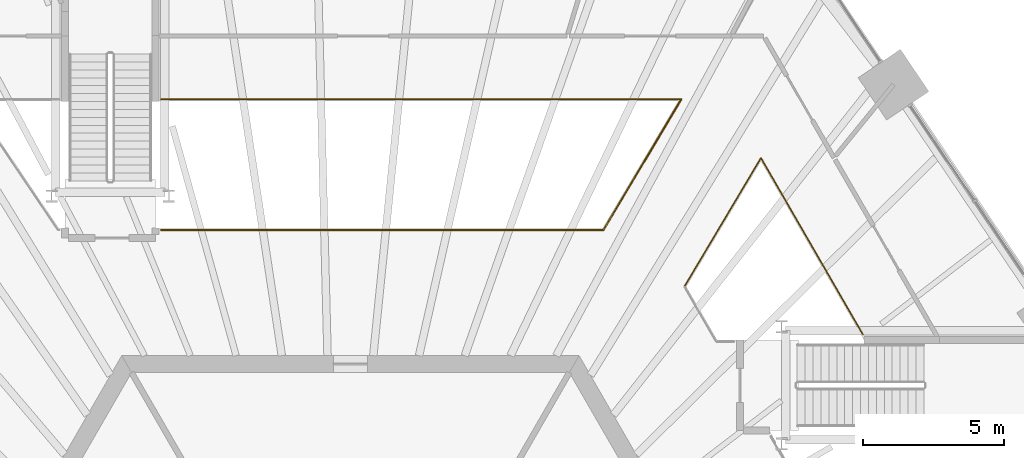
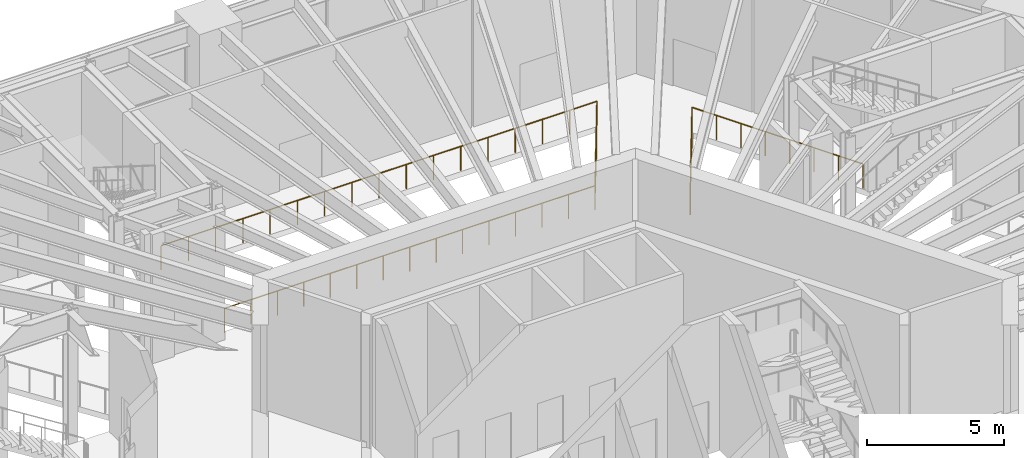
# One storey, part 32 of 32: 3 railings.
"""IFC4 building model written with IfcOpenShell, lengths in metres."""

from ifc_helpers import new_model, si_unit, direction, frame, origin, origin_2d, place, context, subcontext, project, spatial, circle, extrude, material, type_object, element, save


model = new_model("IFC4")

# Units and contexts
model_context = context("Model", 3, precision=1e-05, world=origin(), true_north=direction((0.0, 1.0)))
body_context = subcontext(model_context, "Body", "Model", "MODEL_VIEW")
ifc_project = project(units=[si_unit("LENGTHUNIT", "METRE"), si_unit("AREAUNIT", "SQUARE_METRE"), si_unit("VOLUMEUNIT", "CUBIC_METRE"), si_unit("PLANEANGLEUNIT", "RADIAN"), si_unit("MASSUNIT", "GRAM", prefix="KILO")], contexts=[model_context])

# Site, building, storey
site_placement = place(None, origin())
site = spatial("IfcSite", under=ifc_project, at=site_placement, CompositionType="ELEMENT")
building_placement = place(site_placement, origin())
building = spatial("IfcBuilding", under=site, at=building_placement, Name="Tarnside Tower", CompositionType="ELEMENT")
storey_placement = place(building_placement, frame((0.0, 0.0, 9.0)))
storey = spatial("IfcBuildingStorey", under=building, at=storey_placement, Name="L01", CompositionType="ELEMENT", Elevation=9.0)

# Railings
ifc_material = material(Name="Safety glass", Category="glass")
railing_type = type_object("IfcRailingType", Name="Guard 1100 glass", PredefinedType="GUARDRAIL", material=ifc_material)
railing_1_placement = place(storey_placement, frame((11.80322265625, 16.436279296875, 0.0)))
element("IfcRailing", 1, at=railing_1_placement, inside=storey, type_object=railing_type, Name="Guard 12", PredefinedType="GUARDRAIL", context=body_context, shape_type="SweptSolid", body=[
    extrude(circle(Radius=0.02392578125, at=origin_2d()), frame((0.0, 0.0, 1.076171875), z_axis=(0.51127147393, 0.85941926901, 0.0), x_axis=(-0.85941926901, 0.51127147393, 0.0)), (0.0, 0.0, 1.0), 5.295166015625),
    extrude(circle(Radius=0.02392578125, at=origin_2d()), frame((2.707275390625, 4.55078125, 1.076171875), z_axis=(0.500011000363, -0.866019052629, 0.0), x_axis=(0.866019052629, 0.500011000363, 0.0)), (0.0, 0.0, 1.0), 7.201904296875),
    extrude(circle(Radius=0.02099609375, at=origin_2d()), origin(), (0.0, 0.0, 1.0), 1.052001953125),
    extrude(circle(Radius=0.02099609375, at=origin_2d()), frame((0.54150390625, 0.91015625, 0.0)), (0.0, 0.0, 1.0), 1.052001953125),
    extrude(circle(Radius=0.02099609375, at=origin_2d()), frame((1.0830078125, 1.8203125, 0.0)), (0.0, 0.0, 1.0), 1.052001953125),
    extrude(circle(Radius=0.02099609375, at=origin_2d()), frame((1.624267578125, 2.73046875, 0.0)), (0.0, 0.0, 1.0), 1.052001953125),
    extrude(circle(Radius=0.02099609375, at=origin_2d()), frame((2.165771484375, 3.640625, 0.0)), (0.0, 0.0, 1.0), 1.052001953125),
    extrude(circle(Radius=0.02099609375, at=origin_2d()), frame((2.707275390625, 4.55078125, 0.0)), (0.0, 0.0, 1.0), 1.052001953125),
    extrude(circle(Radius=0.02099609375, at=origin_2d()), frame((3.2216796875, 3.65966796875, 0.0)), (0.0, 0.0, 1.0), 1.052001953125),
    extrude(circle(Radius=0.02099609375, at=origin_2d()), frame((3.736083984375, 2.768798828125, 0.0)), (0.0, 0.0, 1.0), 1.052001953125),
    extrude(circle(Radius=0.02099609375, at=origin_2d()), frame((4.25048828125, 1.877685546875, 0.0)), (0.0, 0.0, 1.0), 1.052001953125),
    extrude(circle(Radius=0.02099609375, at=origin_2d()), frame((4.76513671875, 0.98681640625, 0.0)), (0.0, 0.0, 1.0), 1.052001953125),
    extrude(circle(Radius=0.02099609375, at=origin_2d()), frame((5.279541015625, 0.095703125, 0.0)), (0.0, 0.0, 1.0), 1.052001953125),
    extrude(circle(Radius=0.02099609375, at=origin_2d()), frame((5.7939453125, -0.795166015625, 0.0)), (0.0, 0.0, 1.0), 1.052001953125),
    extrude(circle(Radius=0.02099609375, at=origin_2d()), frame((6.308349609375, -1.686279296875, 0.0)), (0.0, 0.0, 1.0), 1.052001953125),
])
railing_2_placement = place(storey_placement, frame((11.694580078125, 23.06005859375, 0.0)))
element("IfcRailing", 2, at=railing_2_placement, inside=storey, type_object=railing_type, Name="Guard 14", PredefinedType="GUARDRAIL", context=body_context, shape_type="SweptSolid", body=[
    extrude(circle(Radius=0.02392578125, at=origin_2d()), frame((0.0, 0.0, 1.076171875), z_axis=(-0.511273064702, -0.859418322652, 0.0), x_axis=(0.859418322652, -0.511273064702, 0.0)), (0.0, 0.0, 1.0), 5.3759765625),
    extrude(circle(Radius=0.02392578125, at=origin_2d()), frame((-2.74853515625, -4.6201171875, 1.076171875), z_axis=(-1.0, 0.0, 0.0), x_axis=(0.0, -1.0, 0.0)), (0.0, 0.0, 1.0), 15.6357421875),
    extrude(circle(Radius=0.02099609375, at=origin_2d()), origin(), (0.0, 0.0, 1.0), 1.052001953125),
    extrude(circle(Radius=0.02099609375, at=origin_2d()), frame((-0.5498046875, -0.924072265625, 0.0)), (0.0, 0.0, 1.0), 1.052001953125),
    extrude(circle(Radius=0.02099609375, at=origin_2d()), frame((-1.099365234375, -1.84814453125, 0.0)), (0.0, 0.0, 1.0), 1.052001953125),
    extrude(circle(Radius=0.02099609375, at=origin_2d()), frame((-1.649169921875, -2.77197265625, 0.0)), (0.0, 0.0, 1.0), 1.052001953125),
    extrude(circle(Radius=0.02099609375, at=origin_2d()), frame((-2.19873046875, -3.696044921875, 0.0)), (0.0, 0.0, 1.0), 1.052001953125),
    extrude(circle(Radius=0.02099609375, at=origin_2d()), frame((-2.74853515625, -4.6201171875, 0.0)), (0.0, 0.0, 1.0), 1.052001953125),
    extrude(circle(Radius=0.02099609375, at=origin_2d()), frame((-3.865478515625, -4.6201171875, 0.0)), (0.0, 0.0, 1.0), 1.052001953125),
    extrude(circle(Radius=0.02099609375, at=origin_2d()), frame((-4.982177734375, -4.6201171875, 0.0)), (0.0, 0.0, 1.0), 1.052001953125),
    extrude(circle(Radius=0.02099609375, at=origin_2d()), frame((-6.09912109375, -4.6201171875, 0.0)), (0.0, 0.0, 1.0), 1.052001953125),
    extrude(circle(Radius=0.02099609375, at=origin_2d()), frame((-7.2158203125, -4.6201171875, 0.0)), (0.0, 0.0, 1.0), 1.052001953125),
    extrude(circle(Radius=0.02099609375, at=origin_2d()), frame((-8.332763671875, -4.6201171875, 0.0)), (0.0, 0.0, 1.0), 1.052001953125),
    extrude(circle(Radius=0.02099609375, at=origin_2d()), frame((-9.449462890625, -4.6201171875, 0.0)), (0.0, 0.0, 1.0), 1.052001953125),
    extrude(circle(Radius=0.02099609375, at=origin_2d()), frame((-10.56640625, -4.6201171875, 0.0)), (0.0, 0.0, 1.0), 1.052001953125),
    extrude(circle(Radius=0.02099609375, at=origin_2d()), frame((-11.683349609375, -4.6201171875, 0.0)), (0.0, 0.0, 1.0), 1.052001953125),
    extrude(circle(Radius=0.02099609375, at=origin_2d()), frame((-12.800048828125, -4.6201171875, 0.0)), (0.0, 0.0, 1.0), 1.052001953125),
    extrude(circle(Radius=0.02099609375, at=origin_2d()), frame((-13.9169921875, -4.6201171875, 0.0)), (0.0, 0.0, 1.0), 1.052001953125),
    extrude(circle(Radius=0.02099609375, at=origin_2d()), frame((-15.03369140625, -4.6201171875, 0.0)), (0.0, 0.0, 1.0), 1.052001953125),
    extrude(circle(Radius=0.02099609375, at=origin_2d()), frame((-16.150634765625, -4.6201171875, 0.0)), (0.0, 0.0, 1.0), 1.052001953125),
    extrude(circle(Radius=0.02099609375, at=origin_2d()), frame((-17.267333984375, -4.6201171875, 0.0)), (0.0, 0.0, 1.0), 1.052001953125),
    extrude(circle(Radius=0.02099609375, at=origin_2d()), frame((-18.38427734375, -4.6201171875, 0.0)), (0.0, 0.0, 1.0), 1.052001953125),
])
railing_3_placement = place(storey_placement, frame((-6.689697265625, 23.06005859375, 0.0)))
element("IfcRailing", 3, at=railing_3_placement, inside=storey, type_object=railing_type, Name="Guard 15", PredefinedType="GUARDRAIL", context=body_context, shape_type="SweptSolid", body=[
    extrude(circle(Radius=0.02392578125, at=origin_2d()), frame((0.0, 0.0, 1.076171875), z_axis=(1.0, 0.0, 0.0), x_axis=(0.0, 1.0, 0.0)), (0.0, 0.0, 1.0), 18.38427734375),
    extrude(circle(Radius=0.02099609375, at=origin_2d()), origin(), (0.0, 0.0, 1.0), 1.052001953125),
    extrude(circle(Radius=0.02099609375, at=origin_2d()), frame((1.14892578125, 0.0, 0.0)), (0.0, 0.0, 1.0), 1.052001953125),
    extrude(circle(Radius=0.02099609375, at=origin_2d()), frame((2.298095703125, 0.0, 0.0)), (0.0, 0.0, 1.0), 1.052001953125),
    extrude(circle(Radius=0.02099609375, at=origin_2d()), frame((3.447021484375, 0.0, 0.0)), (0.0, 0.0, 1.0), 1.052001953125),
    extrude(circle(Radius=0.02099609375, at=origin_2d()), frame((4.59619140625, 0.0, 0.0)), (0.0, 0.0, 1.0), 1.052001953125),
    extrude(circle(Radius=0.02099609375, at=origin_2d()), frame((5.7451171875, 0.0, 0.0)), (0.0, 0.0, 1.0), 1.052001953125),
    extrude(circle(Radius=0.02099609375, at=origin_2d()), frame((6.89404296875, 0.0, 0.0)), (0.0, 0.0, 1.0), 1.052001953125),
    extrude(circle(Radius=0.02099609375, at=origin_2d()), frame((8.043212890625, 0.0, 0.0)), (0.0, 0.0, 1.0), 1.052001953125),
    extrude(circle(Radius=0.02099609375, at=origin_2d()), frame((9.192138671875, 0.0, 0.0)), (0.0, 0.0, 1.0), 1.052001953125),
    extrude(circle(Radius=0.02099609375, at=origin_2d()), frame((10.341064453125, 0.0, 0.0)), (0.0, 0.0, 1.0), 1.052001953125),
    extrude(circle(Radius=0.02099609375, at=origin_2d()), frame((11.490234375, 0.0, 0.0)), (0.0, 0.0, 1.0), 1.052001953125),
    extrude(circle(Radius=0.02099609375, at=origin_2d()), frame((12.63916015625, 0.0, 0.0)), (0.0, 0.0, 1.0), 1.052001953125),
    extrude(circle(Radius=0.02099609375, at=origin_2d()), frame((13.7880859375, 0.0, 0.0)), (0.0, 0.0, 1.0), 1.052001953125),
    extrude(circle(Radius=0.02099609375, at=origin_2d()), frame((14.937255859375, 0.0, 0.0)), (0.0, 0.0, 1.0), 1.052001953125),
    extrude(circle(Radius=0.02099609375, at=origin_2d()), frame((16.086181640625, 0.0, 0.0)), (0.0, 0.0, 1.0), 1.052001953125),
    extrude(circle(Radius=0.02099609375, at=origin_2d()), frame((17.2353515625, 0.0, 0.0)), (0.0, 0.0, 1.0), 1.052001953125),
    extrude(circle(Radius=0.02099609375, at=origin_2d()), frame((18.38427734375, 0.0, 0.0)), (0.0, 0.0, 1.0), 1.052001953125),
])

save(model, "model.ifc")
